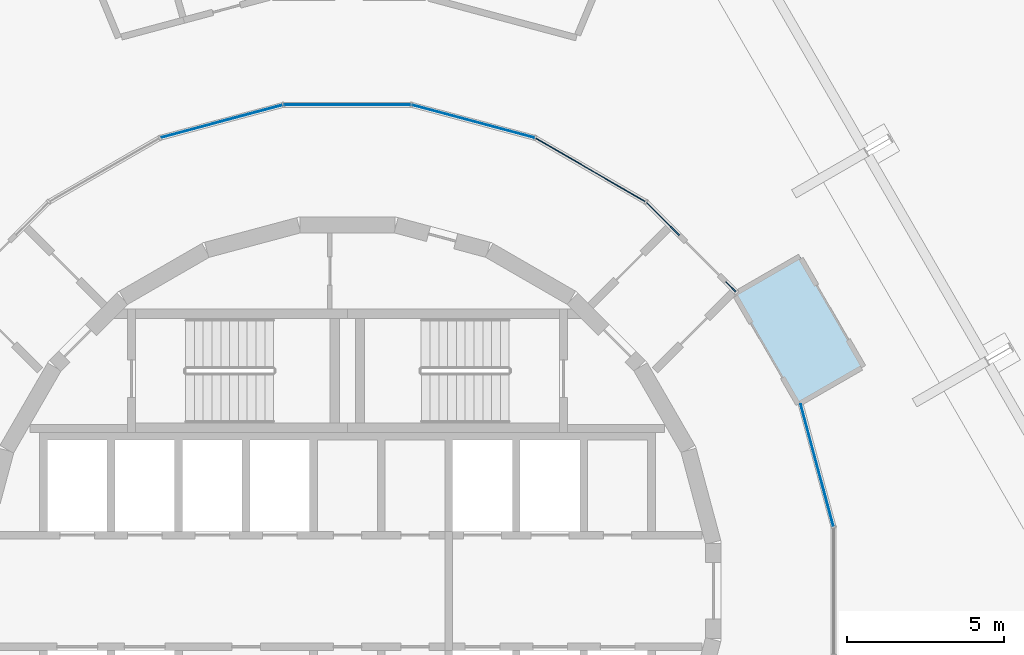
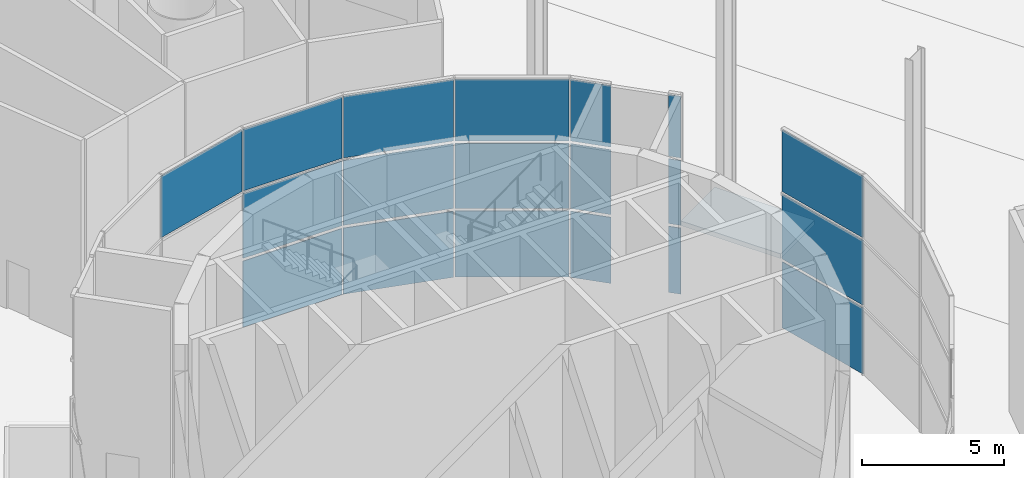
# One storey, part 13 of 21: 19 plates, 1 slab, 6 elements without a shape of their own.
"""IFC4 building model written with IfcOpenShell, lengths in metres."""

from ifc_helpers import new_model, si_unit, direction, frame, origin, origin_2d, place, context, subcontext, project, spatial, polyline, rectangle, outline, extrude, material, layer, layer_set, type_object, element, aggregate, save


model = new_model("IFC4")

# Units and contexts
model_context = context("Model", 3, precision=1e-05, world=origin(), true_north=direction((0.0, 1.0)))
body_context = subcontext(model_context, "Body", "Model", "MODEL_VIEW")
ifc_project = project(units=[si_unit("LENGTHUNIT", "METRE"), si_unit("AREAUNIT", "SQUARE_METRE"), si_unit("VOLUMEUNIT", "CUBIC_METRE"), si_unit("PLANEANGLEUNIT", "RADIAN"), si_unit("MASSUNIT", "GRAM", prefix="KILO")], contexts=[model_context])

# Site, building, storey
site_placement = place(None, origin())
site = spatial("IfcSite", under=ifc_project, at=site_placement, CompositionType="ELEMENT")
building_placement = place(site_placement, origin())
building = spatial("IfcBuilding", under=site, at=building_placement, Name="Spindle Arch Residences", CompositionType="ELEMENT")
storey_placement = place(building_placement, origin())
storey = spatial("IfcBuildingStorey", under=building, at=storey_placement, Name="L00", CompositionType="ELEMENT", Elevation=0.0)

# Slab
ifc_material_1 = material(Name="Concrete C40/50", Category="concrete")
ifc_layer_1 = layer(ifc_material_1, 0.199951171875)
ifc_layer_set_1 = layer_set([ifc_layer_1], Name="Entrance vestibule roof slab 200")
slab_type = type_object("IfcSlabType", Name="Entrance vestibule roof slab 200", PredefinedType="ROOF", material=ifc_layer_set_1)
slab_placement = place(storey_placement, frame((0.0, 0.0, 3.0)))
element("IfcSlab", 1, at=slab_placement, inside=storey, type_object=slab_type, Name="Entrance vestibule NE roof", PredefinedType="ROOF", context=body_context, shape_type="SweptSolid", body=[
    extrude(outline(polyline([(12.32080078125, 9.4541015625), (14.34814453125, 5.943115234375), (16.426513671875, 7.143310546875), (14.399169921875, 10.654296875), (12.32080078125, 9.4541015625)])), origin(), (0.0, 0.0, 1.0), 0.199951171875),
])

# Curtain wall, plates
ifc_material_2 = material(Name="Aluminium bronze unitised frame with tinted glass", Category="aluminium")
ifc_layer_2 = layer(ifc_material_2, 0.159912109375)
ifc_layer_set_2 = layer_set([ifc_layer_2], Name="CW-A arcade glazed lobby wall")
curtain_wall_type = type_object("IfcCurtainWallType", Name="CW-A arcade glazed lobby wall", PredefinedType="NOTDEFINED", material=ifc_layer_set_2)
curtain_wall_1_placement = place(storey_placement, origin())
curtain_wall_1 = element("IfcCurtainWall", 2, at=curtain_wall_1_placement, inside=storey, type_object=curtain_wall_type, Name="CW-A L00 CWA05", PredefinedType="NOTDEFINED")
ifc_material_3 = material(Name="Tinted laminated glass 28 mm", Category="glass")
ifc_layer_3 = layer(ifc_material_3, 0.028076171875)
ifc_layer_set_3 = layer_set([ifc_layer_3], Name="Tinted glass panel 28 mm")
plate_type = type_object("IfcPlateType", Name="Tinted glass panel 28 mm", PredefinedType="CURTAIN_PANEL", material=ifc_layer_set_3)
plate_1_placement = place(storey_placement, frame((14.94921875, 4.005615234375, 0.0), z_axis=(0.0, 0.0, 1.0), x_axis=(-0.258786338994, 0.965934589271, 0.0)))
plate_1 = element("IfcPlate", 3, at=plate_1_placement, type_object=plate_type, Name="CW-A panel 00.1", PredefinedType="CURTAIN_PANEL", context=body_context, shape_type="SweptSolid", body=[
    extrude(rectangle(XDim=4.01513671875, YDim=0.028076171875, at=origin_2d()), origin(), (0.0, 0.0, 1.0), 2.840087890625),
])
plate_2_placement = place(storey_placement, frame((14.94921875, 4.005615234375, 2.9599609375), z_axis=(0.0, 0.0, 1.0), x_axis=(-0.258786338994, 0.965934589271, 0.0)))
plate_2 = element("IfcPlate", 4, at=plate_2_placement, type_object=plate_type, Name="CW-A panel 00.2", PredefinedType="CURTAIN_PANEL", context=body_context, shape_type="SweptSolid", body=[
    extrude(rectangle(XDim=4.01513671875, YDim=0.028076171875, at=origin_2d()), origin(), (0.0, 0.0, 1.0), 2.780029296875),
])
plate_3_placement = place(storey_placement, frame((14.94921875, 4.005615234375, 5.85986328125), z_axis=(0.0, 0.0, 1.0), x_axis=(-0.258786338994, 0.965934589271, 0.0)))
plate_3 = element("IfcPlate", 5, at=plate_3_placement, type_object=plate_type, Name="CW-A panel 00.3", PredefinedType="CURTAIN_PANEL", context=body_context, shape_type="SweptSolid", body=[
    extrude(rectangle(XDim=4.01513671875, YDim=0.028076171875, at=origin_2d()), origin(), (0.0, 0.0, 1.0), 2.639892578125),
])
aggregate(curtain_wall_1, [plate_1, plate_2, plate_3])

curtain_wall_2_placement = place(storey_placement, origin())
curtain_wall_2 = element("IfcCurtainWall", 6, at=curtain_wall_2_placement, inside=storey, type_object=curtain_wall_type, Name="CW-A L00 CWA07", PredefinedType="NOTDEFINED")
plate_4_placement = place(storey_placement, frame((12.205078125, 9.68212890625, 0.0), z_axis=(0.0, 0.0, 1.0), x_axis=(-0.707106781187, 0.707106781187, 0.0)))
plate_4 = element("IfcPlate", 7, at=plate_4_placement, type_object=plate_type, Name="CW-A panel L.1", PredefinedType="CURTAIN_PANEL", context=body_context, shape_type="SweptSolid", body=[
    extrude(rectangle(XDim=0.447021484375, YDim=0.028076171875, at=origin_2d()), origin(), (0.0, 0.0, 1.0), 2.840087890625),
])
plate_5_placement = place(storey_placement, frame((12.205078125, 9.68212890625, 2.9599609375), z_axis=(0.0, 0.0, 1.0), x_axis=(-0.707106781187, 0.707106781187, 0.0)))
plate_5 = element("IfcPlate", 8, at=plate_5_placement, type_object=plate_type, Name="CW-A panel L.2", PredefinedType="CURTAIN_PANEL", context=body_context, shape_type="SweptSolid", body=[
    extrude(rectangle(XDim=0.447021484375, YDim=0.028076171875, at=origin_2d()), origin(), (0.0, 0.0, 1.0), 2.780029296875),
])
plate_6_placement = place(storey_placement, frame((12.205078125, 9.68212890625, 5.85986328125), z_axis=(0.0, 0.0, 1.0), x_axis=(-0.707106781187, 0.707106781187, 0.0)))
plate_6 = element("IfcPlate", 9, at=plate_6_placement, type_object=plate_type, Name="CW-A panel L.3", PredefinedType="CURTAIN_PANEL", context=body_context, shape_type="SweptSolid", body=[
    extrude(rectangle(XDim=0.447021484375, YDim=0.028076171875, at=origin_2d()), origin(), (0.0, 0.0, 1.0), 2.639892578125),
])
plate_7_placement = place(storey_placement, frame((10.04296875, 11.84423828125, 0.0), z_axis=(0.0, 0.0, 1.0), x_axis=(-0.707106781187, 0.707106781187, 0.0)))
plate_7 = element("IfcPlate", 10, at=plate_7_placement, type_object=plate_type, Name="CW-A panel R.1", PredefinedType="CURTAIN_PANEL", context=body_context, shape_type="SweptSolid", body=[
    extrude(rectangle(XDim=1.4677734375, YDim=0.028076171875, at=origin_2d()), origin(), (0.0, 0.0, 1.0), 2.840087890625),
])
plate_8_placement = place(storey_placement, frame((10.04296875, 11.84423828125, 2.9599609375), z_axis=(0.0, 0.0, 1.0), x_axis=(-0.707106781187, 0.707106781187, 0.0)))
plate_8 = element("IfcPlate", 11, at=plate_8_placement, type_object=plate_type, Name="CW-A panel R.2", PredefinedType="CURTAIN_PANEL", context=body_context, shape_type="SweptSolid", body=[
    extrude(rectangle(XDim=1.4677734375, YDim=0.028076171875, at=origin_2d()), origin(), (0.0, 0.0, 1.0), 2.780029296875),
])
plate_9_placement = place(storey_placement, frame((10.04296875, 11.84423828125, 5.85986328125), z_axis=(0.0, 0.0, 1.0), x_axis=(-0.707106781187, 0.707106781187, 0.0)))
plate_9 = element("IfcPlate", 12, at=plate_9_placement, type_object=plate_type, Name="CW-A panel R.3", PredefinedType="CURTAIN_PANEL", context=body_context, shape_type="SweptSolid", body=[
    extrude(rectangle(XDim=1.4677734375, YDim=0.028076171875, at=origin_2d()), origin(), (0.0, 0.0, 1.0), 2.639892578125),
])
aggregate(curtain_wall_2, [plate_4, plate_5, plate_6, plate_7, plate_8, plate_9])

curtain_wall_3_placement = place(storey_placement, origin())
curtain_wall_3 = element("IfcCurtainWall", 13, at=curtain_wall_3_placement, inside=storey, type_object=curtain_wall_type, Name="CW-A L00 CWA08", PredefinedType="NOTDEFINED")
plate_10_placement = place(storey_placement, frame((7.73828125, 13.403076171875, 0.0), z_axis=(0.0, 0.0, 1.0), x_axis=(-0.866012300009, 0.500022695718, 0.0)))
plate_10 = element("IfcPlate", 14, at=plate_10_placement, type_object=plate_type, Name="CW-A panel 00.1", PredefinedType="CURTAIN_PANEL", context=body_context, shape_type="SweptSolid", body=[
    extrude(rectangle(XDim=4.01513671875, YDim=0.028076171875, at=origin_2d()), origin(), (0.0, 0.0, 1.0), 2.840087890625),
])
plate_11_placement = place(storey_placement, frame((7.73828125, 13.403076171875, 2.9599609375), z_axis=(0.0, 0.0, 1.0), x_axis=(-0.866012300009, 0.500022695718, 0.0)))
plate_11 = element("IfcPlate", 15, at=plate_11_placement, type_object=plate_type, Name="CW-A panel 00.2", PredefinedType="CURTAIN_PANEL", context=body_context, shape_type="SweptSolid", body=[
    extrude(rectangle(XDim=4.01513671875, YDim=0.028076171875, at=origin_2d()), origin(), (0.0, 0.0, 1.0), 2.780029296875),
])
plate_12_placement = place(storey_placement, frame((7.73828125, 13.403076171875, 5.85986328125), z_axis=(0.0, 0.0, 1.0), x_axis=(-0.866012300009, 0.500022695718, 0.0)))
plate_12 = element("IfcPlate", 16, at=plate_12_placement, type_object=plate_type, Name="CW-A panel 00.3", PredefinedType="CURTAIN_PANEL", context=body_context, shape_type="SweptSolid", body=[
    extrude(rectangle(XDim=4.01513671875, YDim=0.028076171875, at=origin_2d()), origin(), (0.0, 0.0, 1.0), 2.639892578125),
])
aggregate(curtain_wall_3, [plate_10, plate_11, plate_12])

curtain_wall_4_placement = place(storey_placement, origin())
curtain_wall_4 = element("IfcCurtainWall", 17, at=curtain_wall_4_placement, inside=storey, type_object=curtain_wall_type, Name="CW-A L00 CWA09", PredefinedType="NOTDEFINED")
plate_13_placement = place(storey_placement, frame((4.005615234375, 14.94921875, 0.0), z_axis=(0.0, 0.0, 1.0), x_axis=(-0.965934589271, 0.258786338994, 0.0)))
plate_13 = element("IfcPlate", 18, at=plate_13_placement, type_object=plate_type, Name="CW-A panel 00.1", PredefinedType="CURTAIN_PANEL", context=body_context, shape_type="SweptSolid", body=[
    extrude(rectangle(XDim=4.01513671875, YDim=0.028076171875, at=origin_2d()), origin(), (0.0, 0.0, 1.0), 2.840087890625),
])
plate_14_placement = place(storey_placement, frame((4.005615234375, 14.94921875, 2.9599609375), z_axis=(0.0, 0.0, 1.0), x_axis=(-0.965934589271, 0.258786338994, 0.0)))
plate_14 = element("IfcPlate", 19, at=plate_14_placement, type_object=plate_type, Name="CW-A panel 00.2", PredefinedType="CURTAIN_PANEL", context=body_context, shape_type="SweptSolid", body=[
    extrude(rectangle(XDim=4.01513671875, YDim=0.028076171875, at=origin_2d()), origin(), (0.0, 0.0, 1.0), 2.780029296875),
])
plate_15_placement = place(storey_placement, frame((4.005615234375, 14.94921875, 5.85986328125), z_axis=(0.0, 0.0, 1.0), x_axis=(-0.965934589271, 0.258786338994, 0.0)))
plate_15 = element("IfcPlate", 20, at=plate_15_placement, type_object=plate_type, Name="CW-A panel 00.3", PredefinedType="CURTAIN_PANEL", context=body_context, shape_type="SweptSolid", body=[
    extrude(rectangle(XDim=4.01513671875, YDim=0.028076171875, at=origin_2d()), origin(), (0.0, 0.0, 1.0), 2.639892578125),
])
aggregate(curtain_wall_4, [plate_13, plate_14, plate_15])

curtain_wall_5_placement = place(storey_placement, origin())
curtain_wall_5 = element("IfcCurtainWall", 21, at=curtain_wall_5_placement, inside=storey, type_object=curtain_wall_type, Name="CW-A L00 CWA10", PredefinedType="NOTDEFINED")
plate_16_placement = place(storey_placement, frame((0.0, 15.4765625, 0.0), z_axis=(0.0, 0.0, 1.0), x_axis=(-1.0, 0.0, 0.0)))
plate_16 = element("IfcPlate", 22, at=plate_16_placement, type_object=plate_type, Name="CW-A panel 00.1", PredefinedType="CURTAIN_PANEL", context=body_context, shape_type="SweptSolid", body=[
    extrude(rectangle(XDim=4.014892578125, YDim=0.028076171875, at=origin_2d()), origin(), (0.0, 0.0, 1.0), 2.840087890625),
])
plate_17_placement = place(storey_placement, frame((0.0, 15.4765625, 2.9599609375), z_axis=(0.0, 0.0, 1.0), x_axis=(-1.0, 0.0, 0.0)))
plate_17 = element("IfcPlate", 23, at=plate_17_placement, type_object=plate_type, Name="CW-A panel 00.2", PredefinedType="CURTAIN_PANEL", context=body_context, shape_type="SweptSolid", body=[
    extrude(rectangle(XDim=4.014892578125, YDim=0.028076171875, at=origin_2d()), origin(), (0.0, 0.0, 1.0), 2.780029296875),
])
plate_18_placement = place(storey_placement, frame((0.0, 15.4765625, 5.85986328125), z_axis=(0.0, 0.0, 1.0), x_axis=(-1.0, 0.0, 0.0)))
plate_18 = element("IfcPlate", 24, at=plate_18_placement, type_object=plate_type, Name="CW-A panel 00.3", PredefinedType="CURTAIN_PANEL", context=body_context, shape_type="SweptSolid", body=[
    extrude(rectangle(XDim=4.014892578125, YDim=0.028076171875, at=origin_2d()), origin(), (0.0, 0.0, 1.0), 2.639892578125),
])
aggregate(curtain_wall_5, [plate_16, plate_17, plate_18])

# Curtain wall, plate
curtain_wall_6_placement = place(storey_placement, origin())
curtain_wall_6 = element("IfcCurtainWall", 25, at=curtain_wall_6_placement, inside=storey, type_object=curtain_wall_type, Name="CW-A L00 CWA11", PredefinedType="NOTDEFINED")
plate_19_placement = place(storey_placement, frame((-4.005615234375, 14.94921875, 5.85986328125), z_axis=(0.0, 0.0, 1.0), x_axis=(-0.965934589271, -0.258786338994, 0.0)))
plate_19 = element("IfcPlate", 26, at=plate_19_placement, type_object=plate_type, Name="CW-A panel 00.3", PredefinedType="CURTAIN_PANEL", context=body_context, shape_type="SweptSolid", body=[
    extrude(rectangle(XDim=4.01513671875, YDim=0.028076171875, at=origin_2d()), origin(), (0.0, 0.0, 1.0), 2.639892578125),
])
aggregate(curtain_wall_6, [plate_19])

save(model, "model.ifc")
